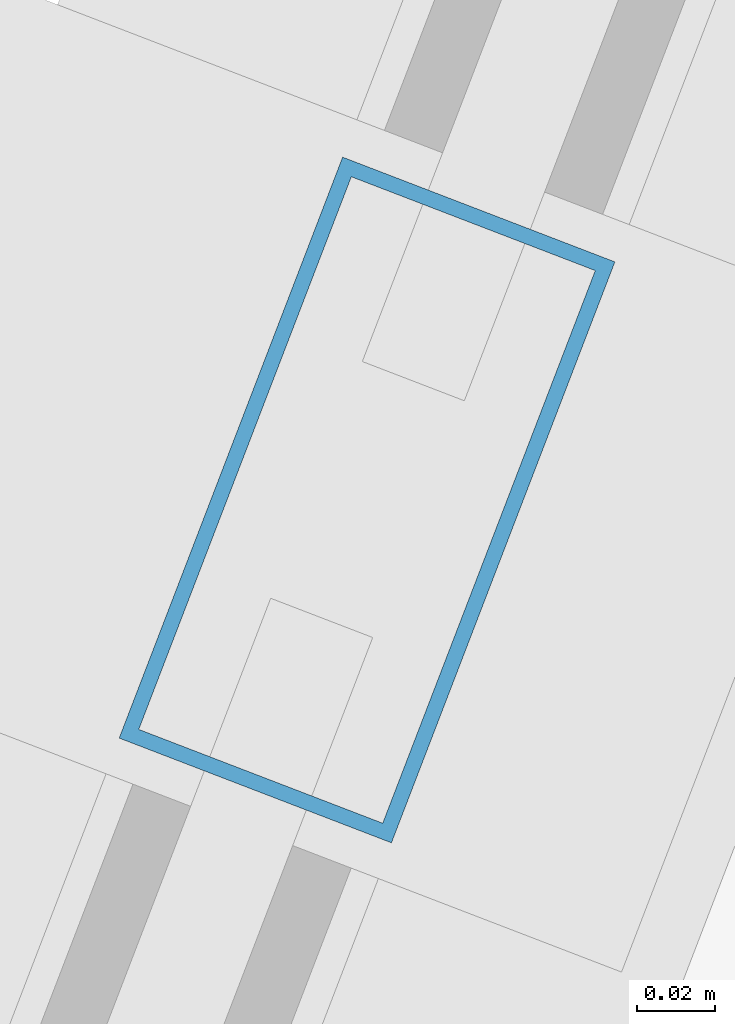
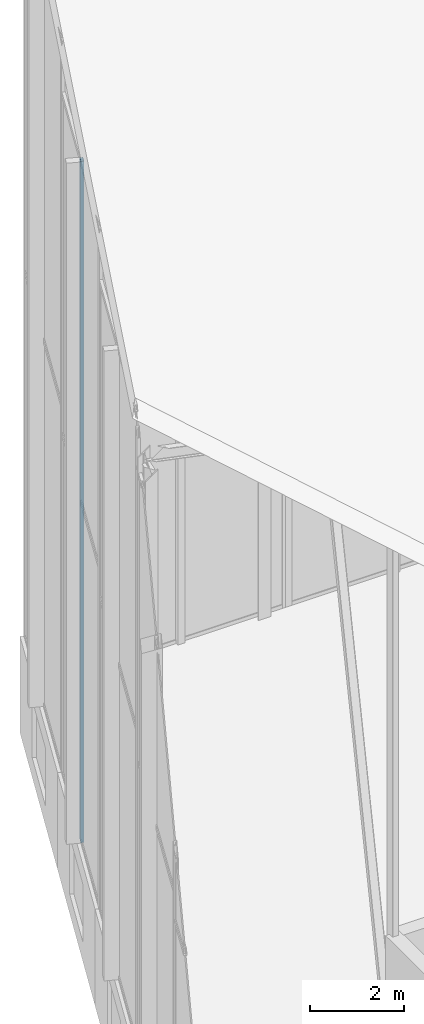
# One storey, part 29 of 74: 1 member, 1 element without a shape of its own.
"""IFC4 building model written with IfcOpenShell, lengths in metres."""

from ifc_helpers import new_model, si_unit, direction, frame, origin, origin_2d, place, context, subcontext, project, spatial, hollow_rectangle, extrude, material, layer, layer_set, material_profile, profile_set, type_object, element, aggregate, save


model = new_model("IFC4")

# Units and contexts
model_context = context("Model", 3, precision=1e-05, world=origin(), true_north=direction((0.0, 1.0)))
body_context = subcontext(model_context, "Body", "Model", "MODEL_VIEW")
ifc_project = project(units=[si_unit("LENGTHUNIT", "METRE"), si_unit("AREAUNIT", "SQUARE_METRE"), si_unit("VOLUMEUNIT", "CUBIC_METRE"), si_unit("PLANEANGLEUNIT", "RADIAN"), si_unit("MASSUNIT", "GRAM", prefix="KILO")], contexts=[model_context])

# Site, building, storey
site_placement = place(None, origin())
site = spatial("IfcSite", under=ifc_project, at=site_placement, CompositionType="ELEMENT")
building_placement = place(site_placement, origin())
building = spatial("IfcBuilding", under=site, at=building_placement, Name="Keshet Zoharim Tower", CompositionType="ELEMENT")
storey_placement = place(building_placement, frame((0.0, 0.0, 320.0)))
storey = spatial("IfcBuildingStorey", under=building, at=storey_placement, Name="RF", CompositionType="ELEMENT", Elevation=320.0)

# Curtain wall, member
ifc_material = material(Name="Aluminium 6063-T6", Category="aluminium")
ifc_layer = layer(ifc_material, 0.260009765625)
ifc_layer_set = layer_set([ifc_layer], Name="Aluminium 6063-T6")
curtain_wall_type = type_object("IfcCurtainWallType", Name="CW-SYS-06", PredefinedType="NOTDEFINED", material=ifc_layer_set)
curtain_wall_placement = place(storey_placement, origin())
curtain_wall = element("IfcCurtainWall", 1, at=curtain_wall_placement, inside=storey, type_object=curtain_wall_type, Name="Slanted Crown Curtain Wall 07", PredefinedType="NOTDEFINED")
ifc_material_profile = material_profile(ifc_material, hollow_rectangle(XDim=0.074951171875, YDim=0.159912109375, WallThickness=0.00390625, at=origin_2d()), Name="MUL-75x160")
ifc_profile_set = profile_set([ifc_material_profile], Name="Aluminium 6063-T6")
member_type = type_object("IfcMemberType", Name="CWM-M15", PredefinedType="MULLION", material=ifc_profile_set)
member_placement = place(storey_placement, frame((11.75439453125, 45.46142578125, 2.5), z_axis=(0.0, 0.0, 1.0), x_axis=(-0.933345606206, 0.358979079302, 0.0)))
member = element("IfcMember", 2, at=member_placement, type_object=member_type, Name="CW-06 mullion 2", PredefinedType="MULLION", context=body_context, shape_type="SweptSolid", body=[
    extrude(hollow_rectangle(XDim=0.074951171875, YDim=0.159912109375, WallThickness=0.00390625, at=origin_2d()), origin(), (0.0, 0.0, 1.0), 17.634033203125),
])
aggregate(curtain_wall, [member])

save(model, "model.ifc")
